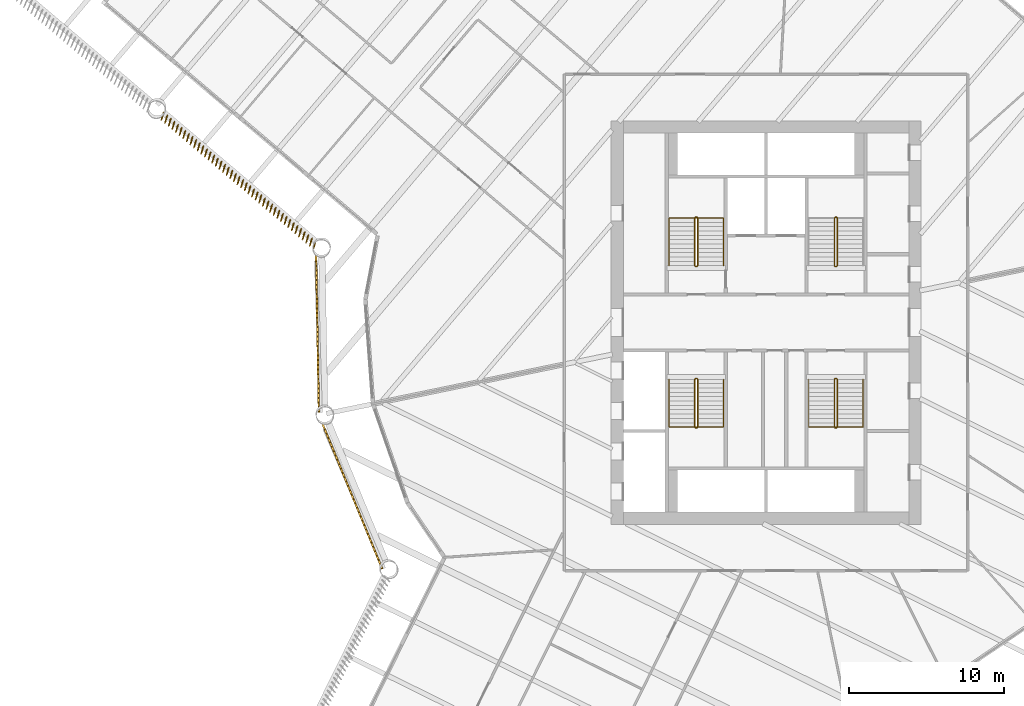
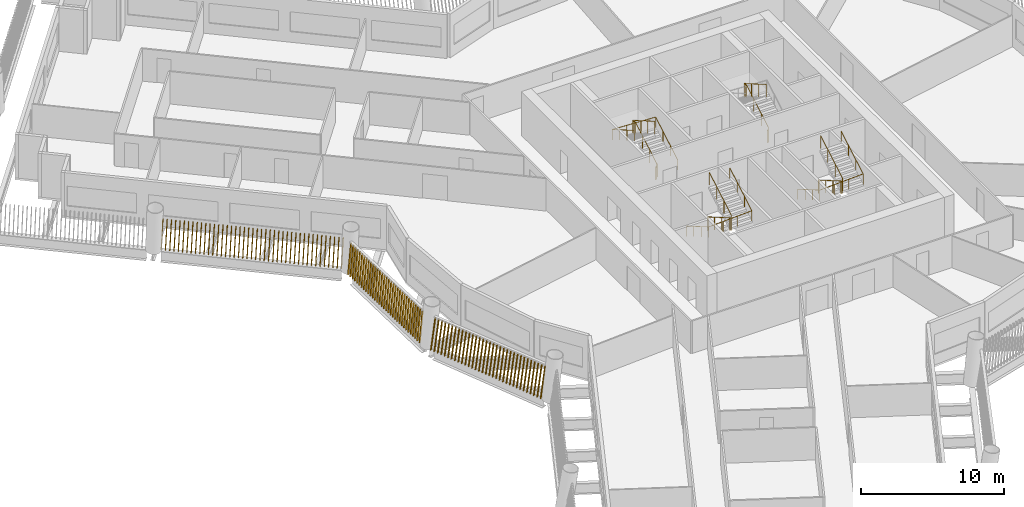
# One storey, part 12 of 16: 7 railings, 3 shading devices.
"""IFC4 building model written with IfcOpenShell, lengths in metres."""

from ifc_helpers import new_model, si_unit, direction, frame, frame_2d, origin, origin_2d, place, context, subcontext, project, spatial, rectangle, circle, composite_profile, extrude, material, type_object, element, save


model = new_model("IFC4")

# Units and contexts
model_context = context("Model", 3, precision=1e-05, world=origin(), true_north=direction((0.0, 1.0)))
body_context = subcontext(model_context, "Body", "Model", "MODEL_VIEW")
ifc_project = project(units=[si_unit("LENGTHUNIT", "METRE"), si_unit("AREAUNIT", "SQUARE_METRE"), si_unit("VOLUMEUNIT", "CUBIC_METRE"), si_unit("PLANEANGLEUNIT", "RADIAN"), si_unit("MASSUNIT", "GRAM", prefix="KILO")], contexts=[model_context])

# Site, building, storey
site_placement = place(None, origin())
site = spatial("IfcSite", under=ifc_project, at=site_placement, CompositionType="ELEMENT")
building_placement = place(site_placement, origin())
building = spatial("IfcBuilding", under=site, at=building_placement, Name="Tarsis Ring Headquarters", CompositionType="ELEMENT")
storey_placement = place(building_placement, frame((0.0, 0.0, 104.5)))
storey = spatial("IfcBuildingStorey", under=building, at=storey_placement, Name="L23", CompositionType="ELEMENT", Elevation=104.5)

# Railings
ifc_material_1 = material(Name="Steel S355", Category="steel")
railing_type_1 = type_object("IfcRailingType", Name="Core stair guard 1100", PredefinedType="GUARDRAIL", material=ifc_material_1)
railing_1_placement = place(storey_placement, frame((-4.5400390625, 3.610107421875, 0.0)))
element("IfcRailing", 1, at=railing_1_placement, inside=storey, type_object=railing_type_1, Name="L23 ST1 stair guard 1", PredefinedType="GUARDRAIL", context=body_context, shape_type="SweptSolid", body=[
    extrude(circle(Radius=0.02392578125, at=origin_2d()), frame((0.0, 0.0, 1.076171875), z_axis=(1.0, 0.0, 0.0), x_axis=(0.0, 1.0, 0.0)), (0.0, 0.0, 1.0), 0.080078125),
    extrude(circle(Radius=0.02392578125, at=origin_2d()), frame((0.080078125, 0.0, 1.076171875), z_axis=(0.282336740067, 0.280959487676, 0.917250092119), x_axis=(-0.705375805398, 0.708833529934, 0.0)), (0.0, 0.0, 1.0), 0.17724609375),
    extrude(circle(Radius=0.02392578125, at=origin_2d()), frame((0.130126953125, 0.0498046875, 1.23876953125), z_axis=(0.0, 0.864920483161, 0.501908913857), x_axis=(-1.0, 0.0, 0.0)), (0.0, 0.0, 1.0), 3.56103515625),
    extrude(circle(Radius=0.02392578125, at=origin_2d()), frame((0.130126953125, 3.1298828125, 3.02587890625), z_axis=(-0.707106781187, 0.707106781187, 0.0), x_axis=(-0.707106781187, -0.707106781187, 0.0)), (0.0, 0.0, 1.0), 0.07080078125),
    extrude(circle(Radius=0.02392578125, at=origin_2d()), frame((0.080078125, 3.179931640625, 3.02587890625), z_axis=(-1.0, 0.0, 0.0), x_axis=(0.0, -1.0, 0.0)), (0.0, 0.0, 1.0), 0.080078125),
    extrude(circle(Radius=0.02392578125, at=origin_2d()), frame((0.0, 3.179931640625, 3.02587890625), z_axis=(-0.282227285176, -0.282227285176, 0.916894497205), x_axis=(0.707106781187, -0.707106781187, 0.0)), (0.0, 0.0, 1.0), 0.17724609375),
    extrude(circle(Radius=0.02392578125, at=origin_2d()), frame((-0.050048828125, 3.1298828125, 3.1884765625), z_axis=(0.0, -0.864920483161, 0.501908913857), x_axis=(1.0, 0.0, 0.0)), (0.0, 0.0, 1.0), 3.56103515625),
    extrude(circle(Radius=0.02099609375, at=origin_2d()), origin(), (0.0, 0.0, 1.0), 1.052001953125),
    extrude(circle(Radius=0.02099609375, at=origin_2d()), frame((0.080078125, 0.0, 0.0)), (0.0, 0.0, 1.0), 1.052001953125),
    extrude(circle(Radius=0.02099609375, at=origin_2d()), frame((0.130126953125, 0.0498046875, 0.16259765625)), (0.0, 0.0, 1.0), 1.052001953125),
    extrude(circle(Radius=0.02099609375, at=origin_2d()), frame((0.130126953125, 1.076416015625, 0.75830078125)), (0.0, 0.0, 1.0), 1.052001953125),
    extrude(circle(Radius=0.02099609375, at=origin_2d()), frame((0.130126953125, 2.103271484375, 1.354248046875)), (0.0, 0.0, 1.0), 1.052001953125),
    extrude(circle(Radius=0.02099609375, at=origin_2d()), frame((0.130126953125, 3.1298828125, 1.949951171875)), (0.0, 0.0, 1.0), 1.052001953125),
    extrude(circle(Radius=0.02099609375, at=origin_2d()), frame((0.080078125, 3.179931640625, 1.949951171875)), (0.0, 0.0, 1.0), 1.052001953125),
    extrude(circle(Radius=0.02099609375, at=origin_2d()), frame((0.0, 3.179931640625, 1.949951171875)), (0.0, 0.0, 1.0), 1.052001953125),
    extrude(circle(Radius=0.02099609375, at=origin_2d()), frame((-0.050048828125, 3.1298828125, 2.112548828125)), (0.0, 0.0, 1.0), 1.052001953125),
    extrude(circle(Radius=0.02099609375, at=origin_2d()), frame((-0.050048828125, 2.103271484375, 2.708251953125)), (0.0, 0.0, 1.0), 1.052001953125),
    extrude(circle(Radius=0.02099609375, at=origin_2d()), frame((-0.050048828125, 1.076416015625, 3.30419921875)), (0.0, 0.0, 1.0), 1.052001953125),
    extrude(circle(Radius=0.02099609375, at=origin_2d()), frame((-0.050048828125, 0.0498046875, 3.89990234375)), (0.0, 0.0, 1.0), 1.052001953125),
])
railing_2_placement = place(storey_placement, frame((4.4599609375, 3.610107421875, 0.0)))
element("IfcRailing", 2, at=railing_2_placement, inside=storey, type_object=railing_type_1, Name="L23 ST2 stair guard 1", PredefinedType="GUARDRAIL", context=body_context, shape_type="SweptSolid", body=[
    extrude(circle(Radius=0.02392578125, at=origin_2d()), frame((0.0, 0.0, 1.076171875), z_axis=(1.0, 0.0, 0.0), x_axis=(0.0, 1.0, 0.0)), (0.0, 0.0, 1.0), 0.080078125),
    extrude(circle(Radius=0.02392578125, at=origin_2d()), frame((0.080078125, 0.0, 1.076171875), z_axis=(0.282336740067, 0.280959487676, 0.917250092119), x_axis=(-0.705375805398, 0.708833529934, 0.0)), (0.0, 0.0, 1.0), 0.17724609375),
    extrude(circle(Radius=0.02392578125, at=origin_2d()), frame((0.130126953125, 0.0498046875, 1.23876953125), z_axis=(0.0, 0.864920483161, 0.501908913857), x_axis=(-1.0, 0.0, 0.0)), (0.0, 0.0, 1.0), 3.56103515625),
    extrude(circle(Radius=0.02392578125, at=origin_2d()), frame((0.130126953125, 3.1298828125, 3.02587890625), z_axis=(-0.707106781187, 0.707106781187, 0.0), x_axis=(-0.707106781187, -0.707106781187, 0.0)), (0.0, 0.0, 1.0), 0.07080078125),
    extrude(circle(Radius=0.02392578125, at=origin_2d()), frame((0.080078125, 3.179931640625, 3.02587890625), z_axis=(-1.0, 0.0, 0.0), x_axis=(0.0, -1.0, 0.0)), (0.0, 0.0, 1.0), 0.080078125),
    extrude(circle(Radius=0.02392578125, at=origin_2d()), frame((0.0, 3.179931640625, 3.02587890625), z_axis=(-0.282227285176, -0.282227285176, 0.916894497205), x_axis=(0.707106781187, -0.707106781187, 0.0)), (0.0, 0.0, 1.0), 0.17724609375),
    extrude(circle(Radius=0.02392578125, at=origin_2d()), frame((-0.050048828125, 3.1298828125, 3.1884765625), z_axis=(0.0, -0.864920483161, 0.501908913857), x_axis=(1.0, 0.0, 0.0)), (0.0, 0.0, 1.0), 3.56103515625),
    extrude(circle(Radius=0.02099609375, at=origin_2d()), origin(), (0.0, 0.0, 1.0), 1.052001953125),
    extrude(circle(Radius=0.02099609375, at=origin_2d()), frame((0.080078125, 0.0, 0.0)), (0.0, 0.0, 1.0), 1.052001953125),
    extrude(circle(Radius=0.02099609375, at=origin_2d()), frame((0.130126953125, 0.0498046875, 0.16259765625)), (0.0, 0.0, 1.0), 1.052001953125),
    extrude(circle(Radius=0.02099609375, at=origin_2d()), frame((0.130126953125, 1.076416015625, 0.75830078125)), (0.0, 0.0, 1.0), 1.052001953125),
    extrude(circle(Radius=0.02099609375, at=origin_2d()), frame((0.130126953125, 2.103271484375, 1.354248046875)), (0.0, 0.0, 1.0), 1.052001953125),
    extrude(circle(Radius=0.02099609375, at=origin_2d()), frame((0.130126953125, 3.1298828125, 1.949951171875)), (0.0, 0.0, 1.0), 1.052001953125),
    extrude(circle(Radius=0.02099609375, at=origin_2d()), frame((0.080078125, 3.179931640625, 1.949951171875)), (0.0, 0.0, 1.0), 1.052001953125),
    extrude(circle(Radius=0.02099609375, at=origin_2d()), frame((0.0, 3.179931640625, 1.949951171875)), (0.0, 0.0, 1.0), 1.052001953125),
    extrude(circle(Radius=0.02099609375, at=origin_2d()), frame((-0.050048828125, 3.1298828125, 2.112548828125)), (0.0, 0.0, 1.0), 1.052001953125),
    extrude(circle(Radius=0.02099609375, at=origin_2d()), frame((-0.050048828125, 2.103271484375, 2.708251953125)), (0.0, 0.0, 1.0), 1.052001953125),
    extrude(circle(Radius=0.02099609375, at=origin_2d()), frame((-0.050048828125, 1.076416015625, 3.30419921875)), (0.0, 0.0, 1.0), 1.052001953125),
    extrude(circle(Radius=0.02099609375, at=origin_2d()), frame((-0.050048828125, 0.0498046875, 3.89990234375)), (0.0, 0.0, 1.0), 1.052001953125),
])
railing_3_placement = place(storey_placement, frame((-4.4599609375, -3.610107421875, 0.0)))
element("IfcRailing", 3, at=railing_3_placement, inside=storey, type_object=railing_type_1, Name="L23 ST3 stair guard 1", PredefinedType="GUARDRAIL", context=body_context, shape_type="SweptSolid", body=[
    extrude(circle(Radius=0.02392578125, at=origin_2d()), frame((0.0, 0.0, 1.076171875), z_axis=(-1.0, 0.0, 0.0), x_axis=(0.0, -1.0, 0.0)), (0.0, 0.0, 1.0), 0.080078125),
    extrude(circle(Radius=0.02392578125, at=origin_2d()), frame((-0.080078125, 0.0, 1.076171875), z_axis=(-0.282336740067, -0.280959487676, 0.917250092119), x_axis=(0.705375805398, -0.708833529934, 0.0)), (0.0, 0.0, 1.0), 0.17724609375),
    extrude(circle(Radius=0.02392578125, at=origin_2d()), frame((-0.130126953125, -0.0498046875, 1.23876953125), z_axis=(0.0, -0.864920483161, 0.501908913857), x_axis=(1.0, 0.0, 0.0)), (0.0, 0.0, 1.0), 3.56103515625),
    extrude(circle(Radius=0.02392578125, at=origin_2d()), frame((-0.130126953125, -3.1298828125, 3.02587890625), z_axis=(0.707106781187, -0.707106781187, 0.0), x_axis=(0.707106781187, 0.707106781187, 0.0)), (0.0, 0.0, 1.0), 0.07080078125),
    extrude(circle(Radius=0.02392578125, at=origin_2d()), frame((-0.080078125, -3.179931640625, 3.02587890625), z_axis=(1.0, 0.0, 0.0), x_axis=(0.0, 1.0, 0.0)), (0.0, 0.0, 1.0), 0.080078125),
    extrude(circle(Radius=0.02392578125, at=origin_2d()), frame((0.0, -3.179931640625, 3.02587890625), z_axis=(0.282227285176, 0.282227285176, 0.916894497205), x_axis=(-0.707106781187, 0.707106781187, 0.0)), (0.0, 0.0, 1.0), 0.17724609375),
    extrude(circle(Radius=0.02392578125, at=origin_2d()), frame((0.050048828125, -3.1298828125, 3.1884765625), z_axis=(0.0, 0.864920483161, 0.501908913857), x_axis=(-1.0, 0.0, 0.0)), (0.0, 0.0, 1.0), 3.56103515625),
    extrude(circle(Radius=0.02099609375, at=origin_2d()), origin(), (0.0, 0.0, 1.0), 1.052001953125),
    extrude(circle(Radius=0.02099609375, at=origin_2d()), frame((-0.080078125, 0.0, 0.0)), (0.0, 0.0, 1.0), 1.052001953125),
    extrude(circle(Radius=0.02099609375, at=origin_2d()), frame((-0.130126953125, -0.0498046875, 0.16259765625)), (0.0, 0.0, 1.0), 1.052001953125),
    extrude(circle(Radius=0.02099609375, at=origin_2d()), frame((-0.130126953125, -1.076416015625, 0.75830078125)), (0.0, 0.0, 1.0), 1.052001953125),
    extrude(circle(Radius=0.02099609375, at=origin_2d()), frame((-0.130126953125, -2.103271484375, 1.354248046875)), (0.0, 0.0, 1.0), 1.052001953125),
    extrude(circle(Radius=0.02099609375, at=origin_2d()), frame((-0.130126953125, -3.1298828125, 1.949951171875)), (0.0, 0.0, 1.0), 1.052001953125),
    extrude(circle(Radius=0.02099609375, at=origin_2d()), frame((-0.080078125, -3.179931640625, 1.949951171875)), (0.0, 0.0, 1.0), 1.052001953125),
    extrude(circle(Radius=0.02099609375, at=origin_2d()), frame((0.0, -3.179931640625, 1.949951171875)), (0.0, 0.0, 1.0), 1.052001953125),
    extrude(circle(Radius=0.02099609375, at=origin_2d()), frame((0.050048828125, -3.1298828125, 2.112548828125)), (0.0, 0.0, 1.0), 1.052001953125),
    extrude(circle(Radius=0.02099609375, at=origin_2d()), frame((0.050048828125, -2.103271484375, 2.708251953125)), (0.0, 0.0, 1.0), 1.052001953125),
    extrude(circle(Radius=0.02099609375, at=origin_2d()), frame((0.050048828125, -1.076416015625, 3.30419921875)), (0.0, 0.0, 1.0), 1.052001953125),
    extrude(circle(Radius=0.02099609375, at=origin_2d()), frame((0.050048828125, -0.0498046875, 3.89990234375)), (0.0, 0.0, 1.0), 1.052001953125),
])
railing_4_placement = place(storey_placement, frame((4.5400390625, -3.610107421875, 0.0)))
element("IfcRailing", 4, at=railing_4_placement, inside=storey, type_object=railing_type_1, Name="L23 ST4 stair guard 1", PredefinedType="GUARDRAIL", context=body_context, shape_type="SweptSolid", body=[
    extrude(circle(Radius=0.02392578125, at=origin_2d()), frame((0.0, 0.0, 1.076171875), z_axis=(-1.0, 0.0, 0.0), x_axis=(0.0, -1.0, 0.0)), (0.0, 0.0, 1.0), 0.080078125),
    extrude(circle(Radius=0.02392578125, at=origin_2d()), frame((-0.080078125, 0.0, 1.076171875), z_axis=(-0.282336740067, -0.280959487676, 0.917250092119), x_axis=(0.705375805398, -0.708833529934, 0.0)), (0.0, 0.0, 1.0), 0.17724609375),
    extrude(circle(Radius=0.02392578125, at=origin_2d()), frame((-0.130126953125, -0.0498046875, 1.23876953125), z_axis=(0.0, -0.864920483161, 0.501908913857), x_axis=(1.0, 0.0, 0.0)), (0.0, 0.0, 1.0), 3.56103515625),
    extrude(circle(Radius=0.02392578125, at=origin_2d()), frame((-0.130126953125, -3.1298828125, 3.02587890625), z_axis=(0.707106781187, -0.707106781187, 0.0), x_axis=(0.707106781187, 0.707106781187, 0.0)), (0.0, 0.0, 1.0), 0.07080078125),
    extrude(circle(Radius=0.02392578125, at=origin_2d()), frame((-0.080078125, -3.179931640625, 3.02587890625), z_axis=(1.0, 0.0, 0.0), x_axis=(0.0, 1.0, 0.0)), (0.0, 0.0, 1.0), 0.080078125),
    extrude(circle(Radius=0.02392578125, at=origin_2d()), frame((0.0, -3.179931640625, 3.02587890625), z_axis=(0.282227285176, 0.282227285176, 0.916894497205), x_axis=(-0.707106781187, 0.707106781187, 0.0)), (0.0, 0.0, 1.0), 0.17724609375),
    extrude(circle(Radius=0.02392578125, at=origin_2d()), frame((0.050048828125, -3.1298828125, 3.1884765625), z_axis=(0.0, 0.864920483161, 0.501908913857), x_axis=(-1.0, 0.0, 0.0)), (0.0, 0.0, 1.0), 3.56103515625),
    extrude(circle(Radius=0.02099609375, at=origin_2d()), origin(), (0.0, 0.0, 1.0), 1.052001953125),
    extrude(circle(Radius=0.02099609375, at=origin_2d()), frame((-0.080078125, 0.0, 0.0)), (0.0, 0.0, 1.0), 1.052001953125),
    extrude(circle(Radius=0.02099609375, at=origin_2d()), frame((-0.130126953125, -0.0498046875, 0.16259765625)), (0.0, 0.0, 1.0), 1.052001953125),
    extrude(circle(Radius=0.02099609375, at=origin_2d()), frame((-0.130126953125, -1.076416015625, 0.75830078125)), (0.0, 0.0, 1.0), 1.052001953125),
    extrude(circle(Radius=0.02099609375, at=origin_2d()), frame((-0.130126953125, -2.103271484375, 1.354248046875)), (0.0, 0.0, 1.0), 1.052001953125),
    extrude(circle(Radius=0.02099609375, at=origin_2d()), frame((-0.130126953125, -3.1298828125, 1.949951171875)), (0.0, 0.0, 1.0), 1.052001953125),
    extrude(circle(Radius=0.02099609375, at=origin_2d()), frame((-0.080078125, -3.179931640625, 1.949951171875)), (0.0, 0.0, 1.0), 1.052001953125),
    extrude(circle(Radius=0.02099609375, at=origin_2d()), frame((0.0, -3.179931640625, 1.949951171875)), (0.0, 0.0, 1.0), 1.052001953125),
    extrude(circle(Radius=0.02099609375, at=origin_2d()), frame((0.050048828125, -3.1298828125, 2.112548828125)), (0.0, 0.0, 1.0), 1.052001953125),
    extrude(circle(Radius=0.02099609375, at=origin_2d()), frame((0.050048828125, -2.103271484375, 2.708251953125)), (0.0, 0.0, 1.0), 1.052001953125),
    extrude(circle(Radius=0.02099609375, at=origin_2d()), frame((0.050048828125, -1.076416015625, 3.30419921875)), (0.0, 0.0, 1.0), 1.052001953125),
    extrude(circle(Radius=0.02099609375, at=origin_2d()), frame((0.050048828125, -0.0498046875, 3.89990234375)), (0.0, 0.0, 1.0), 1.052001953125),
])
railing_type_2 = type_object("IfcRailingType", Name="Core stair handrail 900", PredefinedType="HANDRAIL", material=ifc_material_1)
railing_5_placement = place(storey_placement, frame((-2.75, 3.659912109375, 0.16259765625)))
element("IfcRailing", 5, at=railing_5_placement, inside=storey, type_object=railing_type_2, Name="L23 ST1 stair handrail 1", PredefinedType="HANDRAIL", context=body_context, shape_type="SweptSolid", body=[
    extrude(circle(Radius=0.02392578125, at=origin_2d()), frame((0.0, 0.0, 0.8759765625), z_axis=(0.0, 0.864920483161, 0.501908913857), x_axis=(-1.0, 0.0, 0.0)), (0.0, 0.0, 1.0), 3.56103515625),
    extrude(circle(Radius=0.02392578125, at=origin_2d()), frame((0.0, 3.080078125, 2.6630859375), z_axis=(-0.998922641604, 0.0, 0.046406422943), x_axis=(0.0, -1.0, 0.0)), (0.0, 0.0, 1.0), 3.503662109375),
    extrude(circle(Radius=0.02392578125, at=origin_2d()), frame((-3.5, 3.080078125, 2.82568359375), z_axis=(0.0, -0.864920483161, 0.501908913857), x_axis=(1.0, 0.0, 0.0)), (0.0, 0.0, 1.0), 3.56103515625),
    extrude(circle(Radius=0.02099609375, at=origin_2d()), origin(), (0.0, 0.0, 1.0), 0.851806640625),
    extrude(circle(Radius=0.02099609375, at=origin_2d()), frame((0.0, 1.026611328125, 0.595703125)), (0.0, 0.0, 1.0), 0.851806640625),
    extrude(circle(Radius=0.02099609375, at=origin_2d()), frame((0.0, 2.053466796875, 1.191650390625)), (0.0, 0.0, 1.0), 0.851806640625),
    extrude(circle(Radius=0.02099609375, at=origin_2d()), frame((0.0, 3.080078125, 1.787353515625)), (0.0, 0.0, 1.0), 0.851806640625),
    extrude(circle(Radius=0.02099609375, at=origin_2d()), frame((-1.166748046875, 3.080078125, 1.841552734375)), (0.0, 0.0, 1.0), 0.851806640625),
    extrude(circle(Radius=0.02099609375, at=origin_2d()), frame((-2.333251953125, 3.080078125, 1.895751953125)), (0.0, 0.0, 1.0), 0.851806640625),
    extrude(circle(Radius=0.02099609375, at=origin_2d()), frame((-3.5, 3.080078125, 1.949951171875)), (0.0, 0.0, 1.0), 0.851806640625),
    extrude(circle(Radius=0.02099609375, at=origin_2d()), frame((-3.5, 2.053466796875, 2.545654296875)), (0.0, 0.0, 1.0), 0.851806640625),
    extrude(circle(Radius=0.02099609375, at=origin_2d()), frame((-3.5, 1.026611328125, 3.1416015625)), (0.0, 0.0, 1.0), 0.851806640625),
    extrude(circle(Radius=0.02099609375, at=origin_2d()), frame((-3.5, 0.0, 3.7373046875)), (0.0, 0.0, 1.0), 0.851806640625),
])
railing_6_placement = place(storey_placement, frame((-6.25, -3.659912109375, 0.16259765625)))
element("IfcRailing", 6, at=railing_6_placement, inside=storey, type_object=railing_type_2, Name="L23 ST3 stair handrail 1", PredefinedType="HANDRAIL", context=body_context, shape_type="SweptSolid", body=[
    extrude(circle(Radius=0.02392578125, at=origin_2d()), frame((0.0, 0.0, 0.8759765625), z_axis=(0.0, -0.864920483161, 0.501908913857), x_axis=(1.0, 0.0, 0.0)), (0.0, 0.0, 1.0), 3.56103515625),
    extrude(circle(Radius=0.02392578125, at=origin_2d()), frame((0.0, -3.080078125, 2.6630859375), z_axis=(0.998922641604, 0.0, 0.046406422943), x_axis=(0.0, 1.0, 0.0)), (0.0, 0.0, 1.0), 3.503662109375),
    extrude(circle(Radius=0.02392578125, at=origin_2d()), frame((3.5, -3.080078125, 2.82568359375), z_axis=(0.0, 0.864920483161, 0.501908913857), x_axis=(-1.0, 0.0, 0.0)), (0.0, 0.0, 1.0), 3.56103515625),
    extrude(circle(Radius=0.02099609375, at=origin_2d()), origin(), (0.0, 0.0, 1.0), 0.851806640625),
    extrude(circle(Radius=0.02099609375, at=origin_2d()), frame((0.0, -1.026611328125, 0.595703125)), (0.0, 0.0, 1.0), 0.851806640625),
    extrude(circle(Radius=0.02099609375, at=origin_2d()), frame((0.0, -2.053466796875, 1.191650390625)), (0.0, 0.0, 1.0), 0.851806640625),
    extrude(circle(Radius=0.02099609375, at=origin_2d()), frame((0.0, -3.080078125, 1.787353515625)), (0.0, 0.0, 1.0), 0.851806640625),
    extrude(circle(Radius=0.02099609375, at=origin_2d()), frame((1.166748046875, -3.080078125, 1.841552734375)), (0.0, 0.0, 1.0), 0.851806640625),
    extrude(circle(Radius=0.02099609375, at=origin_2d()), frame((2.333251953125, -3.080078125, 1.895751953125)), (0.0, 0.0, 1.0), 0.851806640625),
    extrude(circle(Radius=0.02099609375, at=origin_2d()), frame((3.5, -3.080078125, 1.949951171875)), (0.0, 0.0, 1.0), 0.851806640625),
    extrude(circle(Radius=0.02099609375, at=origin_2d()), frame((3.5, -2.053466796875, 2.545654296875)), (0.0, 0.0, 1.0), 0.851806640625),
    extrude(circle(Radius=0.02099609375, at=origin_2d()), frame((3.5, -1.026611328125, 3.1416015625)), (0.0, 0.0, 1.0), 0.851806640625),
    extrude(circle(Radius=0.02099609375, at=origin_2d()), frame((3.5, 0.0, 3.7373046875)), (0.0, 0.0, 1.0), 0.851806640625),
])
railing_7_placement = place(storey_placement, frame((2.75, -3.659912109375, 0.16259765625)))
element("IfcRailing", 7, at=railing_7_placement, inside=storey, type_object=railing_type_2, Name="L23 ST4 stair handrail 1", PredefinedType="HANDRAIL", context=body_context, shape_type="SweptSolid", body=[
    extrude(circle(Radius=0.02392578125, at=origin_2d()), frame((0.0, 0.0, 0.8759765625), z_axis=(0.0, -0.864920483161, 0.501908913857), x_axis=(1.0, 0.0, 0.0)), (0.0, 0.0, 1.0), 3.56103515625),
    extrude(circle(Radius=0.02392578125, at=origin_2d()), frame((0.0, -3.080078125, 2.6630859375), z_axis=(0.998922641604, 0.0, 0.046406422943), x_axis=(0.0, 1.0, 0.0)), (0.0, 0.0, 1.0), 3.503662109375),
    extrude(circle(Radius=0.02392578125, at=origin_2d()), frame((3.5, -3.080078125, 2.82568359375), z_axis=(0.0, 0.864920483161, 0.501908913857), x_axis=(-1.0, 0.0, 0.0)), (0.0, 0.0, 1.0), 3.56103515625),
    extrude(circle(Radius=0.02099609375, at=origin_2d()), origin(), (0.0, 0.0, 1.0), 0.851806640625),
    extrude(circle(Radius=0.02099609375, at=origin_2d()), frame((0.0, -1.026611328125, 0.595703125)), (0.0, 0.0, 1.0), 0.851806640625),
    extrude(circle(Radius=0.02099609375, at=origin_2d()), frame((0.0, -2.053466796875, 1.191650390625)), (0.0, 0.0, 1.0), 0.851806640625),
    extrude(circle(Radius=0.02099609375, at=origin_2d()), frame((0.0, -3.080078125, 1.787353515625)), (0.0, 0.0, 1.0), 0.851806640625),
    extrude(circle(Radius=0.02099609375, at=origin_2d()), frame((1.166748046875, -3.080078125, 1.841552734375)), (0.0, 0.0, 1.0), 0.851806640625),
    extrude(circle(Radius=0.02099609375, at=origin_2d()), frame((2.333251953125, -3.080078125, 1.895751953125)), (0.0, 0.0, 1.0), 0.851806640625),
    extrude(circle(Radius=0.02099609375, at=origin_2d()), frame((3.5, -3.080078125, 1.949951171875)), (0.0, 0.0, 1.0), 0.851806640625),
    extrude(circle(Radius=0.02099609375, at=origin_2d()), frame((3.5, -2.053466796875, 2.545654296875)), (0.0, 0.0, 1.0), 0.851806640625),
    extrude(circle(Radius=0.02099609375, at=origin_2d()), frame((3.5, -1.026611328125, 3.1416015625)), (0.0, 0.0, 1.0), 0.851806640625),
    extrude(circle(Radius=0.02099609375, at=origin_2d()), frame((3.5, 0.0, 3.7373046875)), (0.0, 0.0, 1.0), 0.851806640625),
])

# Shading devices
ifc_material_2 = material(Name="Terracotta baguette", Category="masonry")
shading_device_type = type_object("IfcShadingDeviceType", Name="Terracotta baguette screen", PredefinedType="USERDEFINED", material=ifc_material_2)
shading_device_1_placement = place(storey_placement, frame((-28.601318359375, -6.495849609375, 0.0), z_axis=(0.0, 0.0, 1.0), x_axis=(0.380836976889, -0.924647095565, 0.0)))
element("IfcShadingDevice", 8, at=shading_device_1_placement, inside=storey, type_object=shading_device_type, Name="Baguette screen L23-00", ObjectType="Terracotta baguette screen", PredefinedType="USERDEFINED", context=body_context, shape_type="SweptSolid", body=[
    extrude(composite_profile([rectangle(XDim=0.06005859375, YDim=0.1201171875, at=frame_2d((0.030029296875, 0.0))), rectangle(XDim=0.06005859375, YDim=0.1201171875, at=frame_2d((0.33349609375, 0.0))), rectangle(XDim=0.06005859375, YDim=0.1201171875, at=frame_2d((0.636962890625, 0.0))), rectangle(XDim=0.06005859375, YDim=0.1201171875, at=frame_2d((0.9404296875, 0.0))), rectangle(XDim=0.06005859375, YDim=0.1201171875, at=frame_2d((1.243896484375, 0.0))), rectangle(XDim=0.06005859375, YDim=0.1201171875, at=frame_2d((1.54736328125, 0.0))), rectangle(XDim=0.06005859375, YDim=0.1201171875, at=frame_2d((1.85107421875, 0.0))), rectangle(XDim=0.06005859375, YDim=0.1201171875, at=frame_2d((2.154541015625, 0.0))), rectangle(XDim=0.06005859375, YDim=0.1201171875, at=frame_2d((2.4580078125, 0.0))), rectangle(XDim=0.06005859375, YDim=0.1201171875, at=frame_2d((2.761474609375, 0.0))), rectangle(XDim=0.06005859375, YDim=0.1201171875, at=frame_2d((3.06494140625, 0.0))), rectangle(XDim=0.06005859375, YDim=0.1201171875, at=frame_2d((3.368408203125, 0.0))), rectangle(XDim=0.06005859375, YDim=0.1201171875, at=frame_2d((3.671875, 0.0))), rectangle(XDim=0.06005859375, YDim=0.1201171875, at=frame_2d((3.975341796875, 0.0))), rectangle(XDim=0.06005859375, YDim=0.1201171875, at=frame_2d((4.27880859375, 0.0))), rectangle(XDim=0.06005859375, YDim=0.1201171875, at=frame_2d((4.582275390625, 0.0))), rectangle(XDim=0.06005859375, YDim=0.1201171875, at=frame_2d((4.8857421875, 0.0))), rectangle(XDim=0.06005859375, YDim=0.1201171875, at=frame_2d((5.189453125, 0.0))), rectangle(XDim=0.06005859375, YDim=0.1201171875, at=frame_2d((5.492919921875, 0.0))), rectangle(XDim=0.06005859375, YDim=0.1201171875, at=frame_2d((5.79638671875, 0.0))), rectangle(XDim=0.06005859375, YDim=0.1201171875, at=frame_2d((6.099853515625, 0.0))), rectangle(XDim=0.06005859375, YDim=0.1201171875, at=frame_2d((6.4033203125, 0.0))), rectangle(XDim=0.06005859375, YDim=0.1201171875, at=frame_2d((6.706787109375, 0.0))), rectangle(XDim=0.06005859375, YDim=0.1201171875, at=frame_2d((7.01025390625, 0.0))), rectangle(XDim=0.06005859375, YDim=0.1201171875, at=frame_2d((7.313720703125, 0.0))), rectangle(XDim=0.06005859375, YDim=0.1201171875, at=frame_2d((7.6171875, 0.0))), rectangle(XDim=0.06005859375, YDim=0.1201171875, at=frame_2d((7.920654296875, 0.0))), rectangle(XDim=0.06005859375, YDim=0.1201171875, at=frame_2d((8.224365234375, 0.0))), rectangle(XDim=0.06005859375, YDim=0.1201171875, at=frame_2d((8.52783203125, 0.0))), rectangle(XDim=0.06005859375, YDim=0.1201171875, at=frame_2d((8.831298828125, 0.0))), rectangle(XDim=0.06005859375, YDim=0.1201171875, at=frame_2d((9.134765625, 0.0))), rectangle(XDim=0.06005859375, YDim=0.1201171875, at=frame_2d((9.438232421875, 0.0))), rectangle(XDim=0.06005859375, YDim=0.1201171875, at=frame_2d((9.74169921875, 0.0)))]), origin(), (0.132165973937, 0.000898936734, 0.991227192548), 2.978759765625),
])
shading_device_2_placement = place(storey_placement, frame((-38.857177734375, 13.5478515625, 0.0), z_axis=(0.0, 0.0, 1.0), x_axis=(0.762658946412, -0.646798365123, 0.0)))
element("IfcShadingDevice", 9, at=shading_device_2_placement, inside=storey, type_object=shading_device_type, Name="Baguette screen L23-20", ObjectType="Terracotta baguette screen", PredefinedType="USERDEFINED", context=body_context, shape_type="SweptSolid", body=[
    extrude(composite_profile([rectangle(XDim=0.06005859375, YDim=0.1201171875, at=frame_2d((0.030029296875, 0.0))), rectangle(XDim=0.06005859375, YDim=0.1201171875, at=frame_2d((0.335693359375, 0.0))), rectangle(XDim=0.06005859375, YDim=0.1201171875, at=frame_2d((0.6416015625, 0.0))), rectangle(XDim=0.06005859375, YDim=0.1201171875, at=frame_2d((0.947265625, 0.0))), rectangle(XDim=0.06005859375, YDim=0.1201171875, at=frame_2d((1.253173828125, 0.0))), rectangle(XDim=0.06005859375, YDim=0.1201171875, at=frame_2d((1.558837890625, 0.0))), rectangle(XDim=0.06005859375, YDim=0.1201171875, at=frame_2d((1.864501953125, 0.0))), rectangle(XDim=0.06005859375, YDim=0.1201171875, at=frame_2d((2.17041015625, 0.0))), rectangle(XDim=0.06005859375, YDim=0.1201171875, at=frame_2d((2.47607421875, 0.0))), rectangle(XDim=0.06005859375, YDim=0.1201171875, at=frame_2d((2.781982421875, 0.0))), rectangle(XDim=0.06005859375, YDim=0.1201171875, at=frame_2d((3.087646484375, 0.0))), rectangle(XDim=0.06005859375, YDim=0.1201171875, at=frame_2d((3.393310546875, 0.0))), rectangle(XDim=0.06005859375, YDim=0.1201171875, at=frame_2d((3.69921875, 0.0))), rectangle(XDim=0.06005859375, YDim=0.1201171875, at=frame_2d((4.0048828125, 0.0))), rectangle(XDim=0.06005859375, YDim=0.1201171875, at=frame_2d((4.310791015625, 0.0))), rectangle(XDim=0.06005859375, YDim=0.1201171875, at=frame_2d((4.616455078125, 0.0))), rectangle(XDim=0.06005859375, YDim=0.1201171875, at=frame_2d((4.922119140625, 0.0))), rectangle(XDim=0.06005859375, YDim=0.1201171875, at=frame_2d((5.22802734375, 0.0))), rectangle(XDim=0.06005859375, YDim=0.1201171875, at=frame_2d((5.53369140625, 0.0))), rectangle(XDim=0.06005859375, YDim=0.1201171875, at=frame_2d((5.839599609375, 0.0))), rectangle(XDim=0.06005859375, YDim=0.1201171875, at=frame_2d((6.145263671875, 0.0))), rectangle(XDim=0.06005859375, YDim=0.1201171875, at=frame_2d((6.451171875, 0.0))), rectangle(XDim=0.06005859375, YDim=0.1201171875, at=frame_2d((6.7568359375, 0.0))), rectangle(XDim=0.06005859375, YDim=0.1201171875, at=frame_2d((7.0625, 0.0))), rectangle(XDim=0.06005859375, YDim=0.1201171875, at=frame_2d((7.368408203125, 0.0))), rectangle(XDim=0.06005859375, YDim=0.1201171875, at=frame_2d((7.674072265625, 0.0))), rectangle(XDim=0.06005859375, YDim=0.1201171875, at=frame_2d((7.97998046875, 0.0))), rectangle(XDim=0.06005859375, YDim=0.1201171875, at=frame_2d((8.28564453125, 0.0))), rectangle(XDim=0.06005859375, YDim=0.1201171875, at=frame_2d((8.59130859375, 0.0))), rectangle(XDim=0.06005859375, YDim=0.1201171875, at=frame_2d((8.897216796875, 0.0))), rectangle(XDim=0.06005859375, YDim=0.1201171875, at=frame_2d((9.202880859375, 0.0))), rectangle(XDim=0.06005859375, YDim=0.1201171875, at=frame_2d((9.5087890625, 0.0))), rectangle(XDim=0.06005859375, YDim=0.1201171875, at=frame_2d((9.814453125, 0.0))), rectangle(XDim=0.06005859375, YDim=0.1201171875, at=frame_2d((10.1201171875, 0.0))), rectangle(XDim=0.06005859375, YDim=0.1201171875, at=frame_2d((10.426025390625, 0.0))), rectangle(XDim=0.06005859375, YDim=0.1201171875, at=frame_2d((10.731689453125, 0.0))), rectangle(XDim=0.06005859375, YDim=0.1201171875, at=frame_2d((11.03759765625, 0.0))), rectangle(XDim=0.06005859375, YDim=0.1201171875, at=frame_2d((11.34326171875, 0.0))), rectangle(XDim=0.06005859375, YDim=0.1201171875, at=frame_2d((11.64892578125, 0.0))), rectangle(XDim=0.06005859375, YDim=0.1201171875, at=frame_2d((11.954833984375, 0.0))), rectangle(XDim=0.06005859375, YDim=0.1201171875, at=frame_2d((12.260498046875, 0.0))), rectangle(XDim=0.06005859375, YDim=0.1201171875, at=frame_2d((12.56640625, 0.0))), rectangle(XDim=0.06005859375, YDim=0.1201171875, at=frame_2d((12.8720703125, 0.0)))]), origin(), (0.068345302718, -0.144927521876, 0.987078990253), 2.9912109375),
])
shading_device_3_placement = place(storey_placement, frame((-29.001953125, 4.372802734375, 0.0), z_axis=(0.0, 0.0, 1.0), x_axis=(0.017713928795, -0.999850093691, 0.0)))
element("IfcShadingDevice", 10, at=shading_device_3_placement, inside=storey, type_object=shading_device_type, Name="Baguette screen L23-21", ObjectType="Terracotta baguette screen", PredefinedType="USERDEFINED", context=body_context, shape_type="SweptSolid", body=[
    extrude(composite_profile([rectangle(XDim=0.06005859375, YDim=0.1201171875, at=frame_2d((0.030029296875, 0.0))), rectangle(XDim=0.06005859375, YDim=0.1201171875, at=frame_2d((0.33349609375, 0.0))), rectangle(XDim=0.06005859375, YDim=0.1201171875, at=frame_2d((0.636962890625, 0.0))), rectangle(XDim=0.06005859375, YDim=0.1201171875, at=frame_2d((0.9404296875, 0.0))), rectangle(XDim=0.06005859375, YDim=0.1201171875, at=frame_2d((1.243896484375, 0.0))), rectangle(XDim=0.06005859375, YDim=0.1201171875, at=frame_2d((1.54736328125, 0.0))), rectangle(XDim=0.06005859375, YDim=0.1201171875, at=frame_2d((1.85107421875, 0.0))), rectangle(XDim=0.06005859375, YDim=0.1201171875, at=frame_2d((2.154541015625, 0.0))), rectangle(XDim=0.06005859375, YDim=0.1201171875, at=frame_2d((2.4580078125, 0.0))), rectangle(XDim=0.06005859375, YDim=0.1201171875, at=frame_2d((2.761474609375, 0.0))), rectangle(XDim=0.06005859375, YDim=0.1201171875, at=frame_2d((3.06494140625, 0.0))), rectangle(XDim=0.06005859375, YDim=0.1201171875, at=frame_2d((3.368408203125, 0.0))), rectangle(XDim=0.06005859375, YDim=0.1201171875, at=frame_2d((3.671875, 0.0))), rectangle(XDim=0.06005859375, YDim=0.1201171875, at=frame_2d((3.975341796875, 0.0))), rectangle(XDim=0.06005859375, YDim=0.1201171875, at=frame_2d((4.27880859375, 0.0))), rectangle(XDim=0.06005859375, YDim=0.1201171875, at=frame_2d((4.582275390625, 0.0))), rectangle(XDim=0.06005859375, YDim=0.1201171875, at=frame_2d((4.8857421875, 0.0))), rectangle(XDim=0.06005859375, YDim=0.1201171875, at=frame_2d((5.189453125, 0.0))), rectangle(XDim=0.06005859375, YDim=0.1201171875, at=frame_2d((5.492919921875, 0.0))), rectangle(XDim=0.06005859375, YDim=0.1201171875, at=frame_2d((5.79638671875, 0.0))), rectangle(XDim=0.06005859375, YDim=0.1201171875, at=frame_2d((6.099853515625, 0.0))), rectangle(XDim=0.06005859375, YDim=0.1201171875, at=frame_2d((6.4033203125, 0.0))), rectangle(XDim=0.06005859375, YDim=0.1201171875, at=frame_2d((6.706787109375, 0.0))), rectangle(XDim=0.06005859375, YDim=0.1201171875, at=frame_2d((7.01025390625, 0.0))), rectangle(XDim=0.06005859375, YDim=0.1201171875, at=frame_2d((7.313720703125, 0.0))), rectangle(XDim=0.06005859375, YDim=0.1201171875, at=frame_2d((7.6171875, 0.0))), rectangle(XDim=0.06005859375, YDim=0.1201171875, at=frame_2d((7.920654296875, 0.0))), rectangle(XDim=0.06005859375, YDim=0.1201171875, at=frame_2d((8.224365234375, 0.0))), rectangle(XDim=0.06005859375, YDim=0.1201171875, at=frame_2d((8.52783203125, 0.0))), rectangle(XDim=0.06005859375, YDim=0.1201171875, at=frame_2d((8.831298828125, 0.0))), rectangle(XDim=0.06005859375, YDim=0.1201171875, at=frame_2d((9.134765625, 0.0))), rectangle(XDim=0.06005859375, YDim=0.1201171875, at=frame_2d((9.438232421875, 0.0))), rectangle(XDim=0.06005859375, YDim=0.1201171875, at=frame_2d((9.74169921875, 0.0)))]), origin(), (0.13216634299, 0.000899931134, 0.991227142437), 2.978759765625),
])

save(model, "model.ifc")
